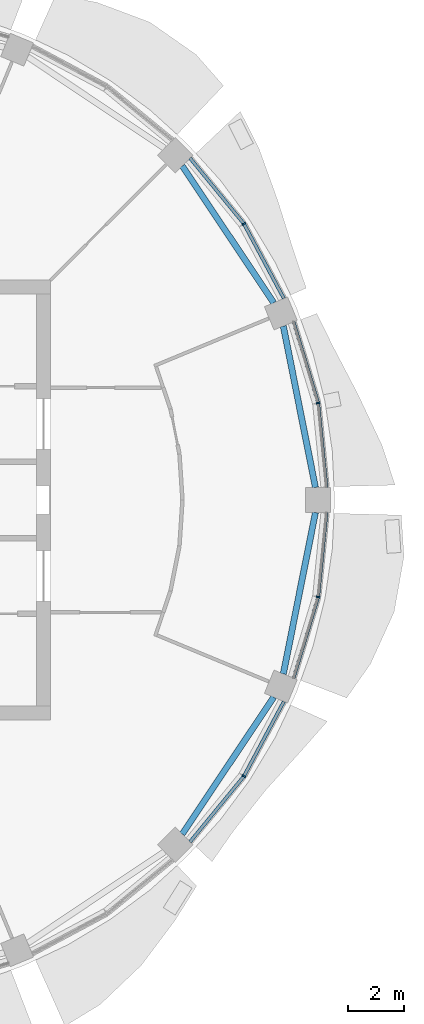
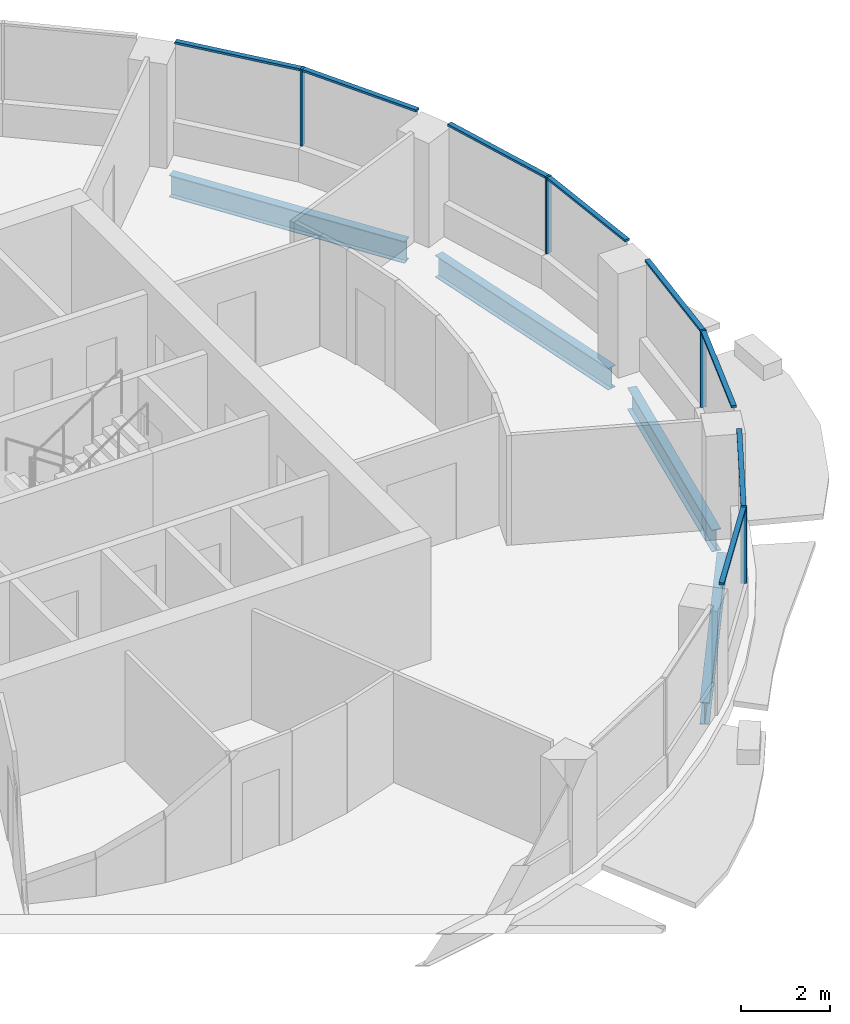
# One storey, part 5 of 15: 12 members, 4 beams, 4 elements without a shape of their own.
"""IFC4 building model written with IfcOpenShell, lengths in metres."""

from ifc_helpers import new_model, si_unit, direction, frame, origin, origin_2d, place, context, subcontext, project, spatial, rectangle, i_section, extrude, material, material_profile, profile_set, type_object, element, aggregate, save


model = new_model("IFC4")

# Units and contexts
model_context = context("Model", 3, precision=1e-05, world=origin(), true_north=direction((0.0, 1.0)))
body_context = subcontext(model_context, "Body", "Model", "MODEL_VIEW")
ifc_project = project(units=[si_unit("LENGTHUNIT", "METRE"), si_unit("AREAUNIT", "SQUARE_METRE"), si_unit("VOLUMEUNIT", "CUBIC_METRE"), si_unit("PLANEANGLEUNIT", "RADIAN"), si_unit("MASSUNIT", "GRAM", prefix="KILO")], contexts=[model_context])

# Site, building, storey
site_placement = place(None, origin())
site = spatial("IfcSite", under=ifc_project, at=site_placement, CompositionType="ELEMENT")
building_placement = place(site_placement, origin())
building = spatial("IfcBuilding", under=site, at=building_placement, Name="Polderwave Tower", CompositionType="ELEMENT")
storey_placement = place(building_placement, frame((0.0, 0.0, 191.0)))
storey = spatial("IfcBuildingStorey", under=building, at=storey_placement, Name="L51", CompositionType="ELEMENT", Elevation=191.0)

# Curtain wall, member
ifc_material_1 = material(Name="Aluminium 6063-T6 and glass", Category="aluminium")
curtain_wall_type = type_object("IfcCurtainWallType", Name="Office ribbon glazing wall", PredefinedType="NOTDEFINED", material=ifc_material_1)
curtain_wall_1_placement = place(storey_placement, origin())
curtain_wall_1 = element("IfcCurtainWall", 1, at=curtain_wall_1_placement, inside=storey, type_object=curtain_wall_type, Name="CW3 L51 00", PredefinedType="NOTDEFINED")
ifc_material_2 = material(Name="Aluminium 6063-T6", Category="aluminium")
ifc_material_profile_1 = material_profile(ifc_material_2, rectangle(XDim=0.139892578125, YDim=0.054931640625, at=origin_2d()), Name="AL 55x140")
ifc_profile_set_1 = profile_set([ifc_material_profile_1], Name="Aluminium 6063-T6")
member_type_1 = type_object("IfcMemberType", Name="Office ribbon glazing mullion 55x140", PredefinedType="MULLION", material=ifc_profile_set_1)
member_1_placement = place(storey_placement, frame((17.4580078125, 3.472900390625, 0.89990234375), z_axis=(0.0, 0.0, 1.0), x_axis=(-0.980762460409, -0.195205010829, 0.0)))
member_1 = element("IfcMember", 2, at=member_1_placement, type_object=member_type_1, Name="CW3 mullion 1", PredefinedType="MULLION", context=body_context, shape_type="SweptSolid", body=[
    extrude(rectangle(XDim=0.139892578125, YDim=0.054931640625, at=origin_2d()), origin(), (0.0, 0.0, 1.0), 2.10009765625),
])

curtain_wall_2_placement = place(storey_placement, origin())
curtain_wall_2 = element("IfcCurtainWall", 3, at=curtain_wall_2_placement, inside=storey, type_object=curtain_wall_type, Name="CW3 L51 01", PredefinedType="NOTDEFINED")
member_2_placement = place(storey_placement, frame((14.800048828125, 9.888916015625, 0.89990234375), z_axis=(0.0, 0.0, 1.0), x_axis=(-0.831419186923, -0.55564569252, 0.0)))
member_2 = element("IfcMember", 4, at=member_2_placement, type_object=member_type_1, Name="CW3 mullion 1", PredefinedType="MULLION", context=body_context, shape_type="SweptSolid", body=[
    extrude(rectangle(XDim=0.139892578125, YDim=0.054931640625, at=origin_2d()), origin(), (0.0, 0.0, 1.0), 2.10009765625),
])

curtain_wall_3_placement = place(storey_placement, origin())
curtain_wall_3 = element("IfcCurtainWall", 5, at=curtain_wall_3_placement, inside=storey, type_object=curtain_wall_type, Name="CW3 L51 14", PredefinedType="NOTDEFINED")
member_3_placement = place(storey_placement, frame((14.800048828125, -9.888916015625, 0.89990234375), z_axis=(0.0, 0.0, 1.0), x_axis=(-0.831419186923, 0.55564569252, 0.0)))
member_3 = element("IfcMember", 6, at=member_3_placement, type_object=member_type_1, Name="CW3 mullion 1", PredefinedType="MULLION", context=body_context, shape_type="SweptSolid", body=[
    extrude(rectangle(XDim=0.139892578125, YDim=0.054931640625, at=origin_2d()), origin(), (0.0, 0.0, 1.0), 2.10009765625),
])

curtain_wall_4_placement = place(storey_placement, origin())
curtain_wall_4 = element("IfcCurtainWall", 7, at=curtain_wall_4_placement, inside=storey, type_object=curtain_wall_type, Name="CW3 L51 15", PredefinedType="NOTDEFINED")
member_4_placement = place(storey_placement, frame((17.4580078125, -3.472900390625, 0.89990234375), z_axis=(0.0, 0.0, 1.0), x_axis=(-0.980762460409, 0.195205010829, 0.0)))
member_4 = element("IfcMember", 8, at=member_4_placement, type_object=member_type_1, Name="CW3 mullion 1", PredefinedType="MULLION", context=body_context, shape_type="SweptSolid", body=[
    extrude(rectangle(XDim=0.139892578125, YDim=0.054931640625, at=origin_2d()), origin(), (0.0, 0.0, 1.0), 2.10009765625),
])

# Member
ifc_material_profile_2 = material_profile(ifc_material_2, rectangle(XDim=0.1201171875, YDim=0.06005859375, at=origin_2d()), Name="AL 60x120")
ifc_profile_set_2 = profile_set([ifc_material_profile_2], Name="Aluminium 6063-T6")
member_type_2 = type_object("IfcMemberType", Name="Office ribbon glazing transom 60x120", PredefinedType="USERDEFINED", material=ifc_profile_set_2)
member_5_placement = place(storey_placement, frame((17.756103515625, 0.449951171875, 2.969970703125), z_axis=(-0.098138471931, 0.995172769084, 0.0), x_axis=(-0.995172769084, -0.098138471931, 0.0)))
member_5 = element("IfcMember", 9, at=member_5_placement, type_object=member_type_2, Name="CW3 transom 1", ObjectType="TRANSOM", PredefinedType="USERDEFINED", context=body_context, shape_type="SweptSolid", body=[
    extrude(rectangle(XDim=0.1201171875, YDim=0.06005859375, at=origin_2d()), origin(), (0.0, 0.0, 1.0), 3.01025390625),
])

member_6_placement = place(storey_placement, frame((17.449951171875, 3.499267578125, 2.969970703125), z_axis=(-0.290435177237, 0.956894669137, 0.0), x_axis=(-0.956894669137, -0.290435177237, 0.0)))
member_6 = element("IfcMember", 10, at=member_6_placement, type_object=member_type_2, Name="CW3 transom 2", ObjectType="TRANSOM", PredefinedType="USERDEFINED", context=body_context, shape_type="SweptSolid", body=[
    extrude(rectangle(XDim=0.1201171875, YDim=0.06005859375, at=origin_2d()), origin(), (0.0, 0.0, 1.0), 3.00927734375),
])

aggregate(curtain_wall_1, [member_1, member_5, member_6])

member_7_placement = place(storey_placement, frame((16.23193359375, 7.2109375, 2.969970703125), z_axis=(-0.471514347904, 0.881858389834, 0.0), x_axis=(-0.881858389834, -0.471514347904, 0.0)))
member_7 = element("IfcMember", 11, at=member_7_placement, type_object=member_type_2, Name="CW3 transom 1", ObjectType="TRANSOM", PredefinedType="USERDEFINED", context=body_context, shape_type="SweptSolid", body=[
    extrude(rectangle(XDim=0.1201171875, YDim=0.06005859375, at=origin_2d()), origin(), (0.0, 0.0, 1.0), 3.00927734375),
])

member_8_placement = place(storey_placement, frame((14.78271484375, 9.910400390625, 2.969970703125), z_axis=(-0.634438411451, 0.772973416151, 0.0), x_axis=(-0.772973416151, -0.634438411451, 0.0)))
member_8 = element("IfcMember", 12, at=member_8_placement, type_object=member_type_2, Name="CW3 transom 2", ObjectType="TRANSOM", PredefinedType="USERDEFINED", context=body_context, shape_type="SweptSolid", body=[
    extrude(rectangle(XDim=0.1201171875, YDim=0.06005859375, at=origin_2d()), origin(), (0.0, 0.0, 1.0), 3.010009765625),
])

aggregate(curtain_wall_2, [member_2, member_7, member_8])

member_9_placement = place(storey_placement, frame((12.873046875, -12.237060546875, 2.969970703125), z_axis=(0.634438411451, 0.772973416151, 0.0), x_axis=(-0.772973416151, 0.634438411451, 0.0)))
member_9 = element("IfcMember", 13, at=member_9_placement, type_object=member_type_2, Name="CW3 transom 1", ObjectType="TRANSOM", PredefinedType="USERDEFINED", context=body_context, shape_type="SweptSolid", body=[
    extrude(rectangle(XDim=0.1201171875, YDim=0.06005859375, at=origin_2d()), origin(), (0.0, 0.0, 1.0), 3.010009765625),
])

member_10_placement = place(storey_placement, frame((14.81298828125, -9.86474609375, 2.969970703125), z_axis=(0.471514347904, 0.881858389834, 0.0), x_axis=(-0.881858389834, 0.471514347904, 0.0)))
member_10 = element("IfcMember", 14, at=member_10_placement, type_object=member_type_2, Name="CW3 transom 2", ObjectType="TRANSOM", PredefinedType="USERDEFINED", context=body_context, shape_type="SweptSolid", body=[
    extrude(rectangle(XDim=0.1201171875, YDim=0.06005859375, at=origin_2d()), origin(), (0.0, 0.0, 1.0), 3.00927734375),
])

aggregate(curtain_wall_3, [member_3, member_9, member_10])

member_11_placement = place(storey_placement, frame((16.575927734375, -6.37890625, 2.969970703125), z_axis=(0.290435177237, 0.956894669137, 0.0), x_axis=(-0.956894669137, 0.290435177237, 0.0)))
member_11 = element("IfcMember", 15, at=member_11_placement, type_object=member_type_2, Name="CW3 transom 1", ObjectType="TRANSOM", PredefinedType="USERDEFINED", context=body_context, shape_type="SweptSolid", body=[
    extrude(rectangle(XDim=0.1201171875, YDim=0.06005859375, at=origin_2d()), origin(), (0.0, 0.0, 1.0), 3.00927734375),
])

member_12_placement = place(storey_placement, frame((17.460693359375, -3.445556640625, 2.969970703125), z_axis=(0.098138471931, 0.995172769084, 0.0), x_axis=(-0.995172769084, 0.098138471931, 0.0)))
member_12 = element("IfcMember", 16, at=member_12_placement, type_object=member_type_2, Name="CW3 transom 2", ObjectType="TRANSOM", PredefinedType="USERDEFINED", context=body_context, shape_type="SweptSolid", body=[
    extrude(rectangle(XDim=0.1201171875, YDim=0.06005859375, at=origin_2d()), origin(), (0.0, 0.0, 1.0), 3.01025390625),
])

aggregate(curtain_wall_4, [member_4, member_11, member_12])

# Beams
ifc_material_3 = material(Name="Steel S355", Category="steel")
ifc_material_profile_3 = material_profile(ifc_material_3, i_section(OverallWidth=0.219970703125, OverallDepth=0.60009765625, WebThickness=0.011962890625, FlangeThickness=0.01904296875, at=origin_2d()), Name="IPE 600")
ifc_profile_set_3 = profile_set([ifc_material_profile_3], Name="Steel S355")
beam_type = type_object("IfcBeamType", Name="RING BEAM IPE 600", PredefinedType="BEAM", material=ifc_profile_set_3)
beam_1_placement = place(storey_placement, frame((17.360595703125, 0.449951171875, -0.64990234375), z_axis=(-0.195111845788, 0.980780998813, 0.0), x_axis=(-0.980780998813, -0.195111845788, 0.0)))
element("IfcBeam", 17, at=beam_1_placement, inside=storey, type_object=beam_type, Name="ST-RB-L51-00", PredefinedType="BEAM", context=body_context, shape_type="SweptSolid", body=[
    extrude(i_section(OverallWidth=0.219970703125, OverallDepth=0.60009765625, WebThickness=0.011962890625, FlangeThickness=0.01904296875, at=origin_2d()), origin(), (0.0, 0.0, 1.0), 5.89111328125),
])
for number, where, z_axis, x_axis, name in (
    (18, (15.86669921875, 7.059326171875, -0.64990234375), (-0.555551093196, 0.831482400805, 0.0), (-0.831482400805, -0.555551093196, 0.0), "ST-RB-L51-01"),
    (19, (12.593994140625, -11.95751953125, -0.64990234375), (0.555551093196, 0.831482400805, 0.0), (-0.831482400805, 0.555551093196, 0.0), "ST-RB-L51-14"),
):
    element("IfcBeam", number, at=place(storey_placement, frame(where, z_axis=z_axis, x_axis=x_axis)), inside=storey, type_object=beam_type, Name=name, PredefinedType="BEAM", context=body_context, shape_type="SweptSolid", body=[
        extrude(i_section(OverallWidth=0.219970703125, OverallDepth=0.60009765625, WebThickness=0.011962890625, FlangeThickness=0.01904296875, at=origin_2d()), origin(), (0.0, 0.0, 1.0), 5.890869140625),
    ])
beam_2_placement = place(storey_placement, frame((16.211181640625, -6.227783203125, -0.64990234375), z_axis=(0.195111845788, 0.980780998813, 0.0), x_axis=(-0.980780998813, 0.195111845788, 0.0)))
element("IfcBeam", 20, at=beam_2_placement, inside=storey, type_object=beam_type, Name="ST-RB-L51-15", PredefinedType="BEAM", context=body_context, shape_type="SweptSolid", body=[
    extrude(i_section(OverallWidth=0.219970703125, OverallDepth=0.60009765625, WebThickness=0.011962890625, FlangeThickness=0.01904296875, at=origin_2d()), origin(), (0.0, 0.0, 1.0), 5.89111328125),
])

save(model, "model.ifc")
